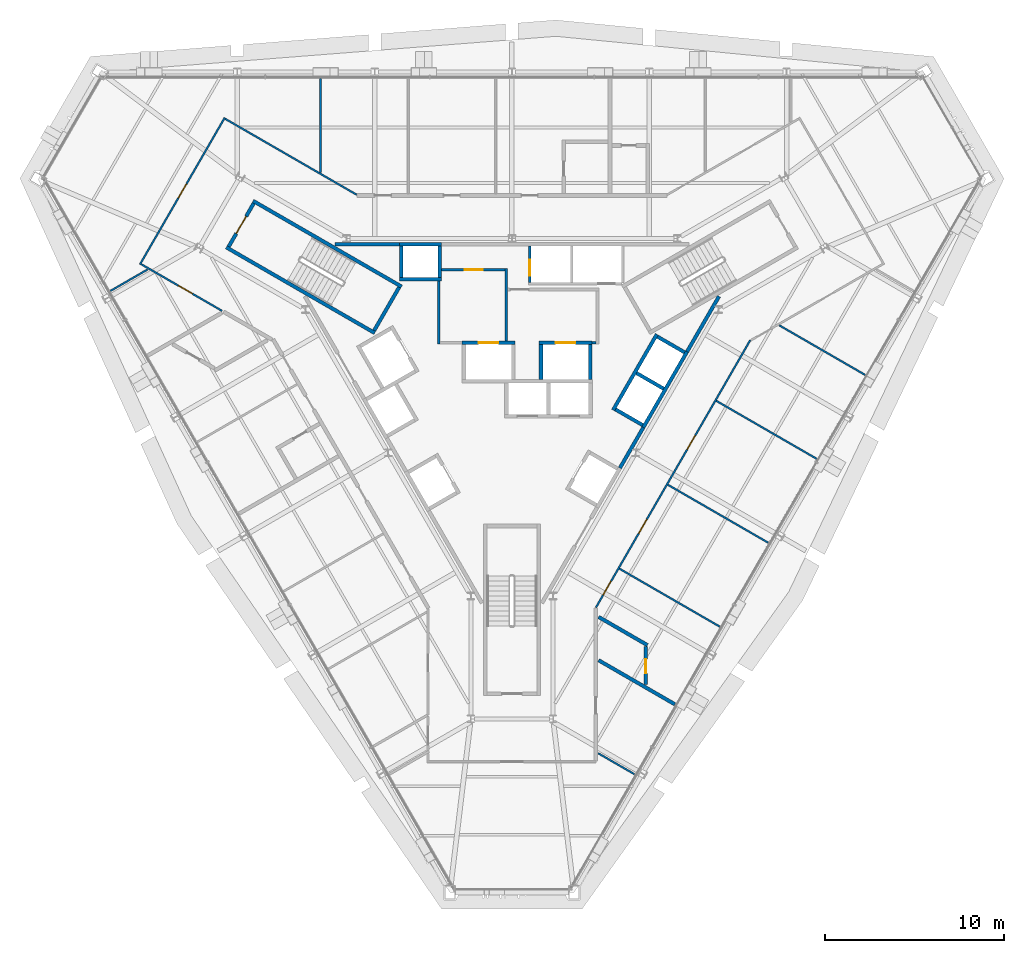
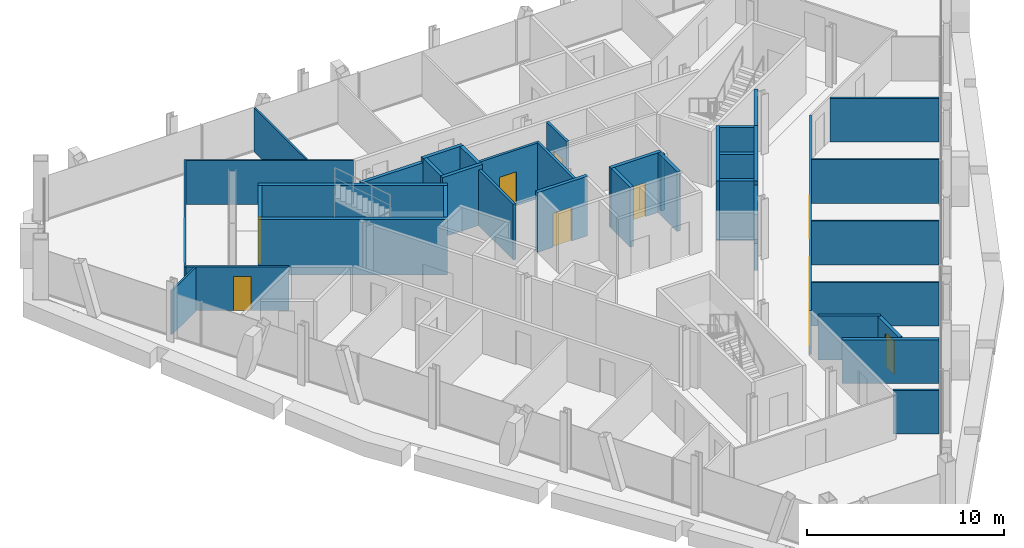
# One storey, part 9 of 13: 39 walls, 11 doors, 11 openings.
"""IFC4 building model written with IfcOpenShell, lengths in metres."""

from ifc_helpers import new_model, si_unit, direction, frame, frame_2d, origin, place, context, subcontext, project, spatial, rectangle, extrude, material, layer, layer_set, type_object, element, fill, save


model = new_model("IFC4")

# Units and contexts
model_context = context("Model", 3, precision=1e-05, world=origin(), true_north=direction((0.0, 1.0)))
body_context = subcontext(model_context, "Body", "Model", "MODEL_VIEW")
ifc_project = project(units=[si_unit("LENGTHUNIT", "METRE"), si_unit("AREAUNIT", "SQUARE_METRE"), si_unit("VOLUMEUNIT", "CUBIC_METRE"), si_unit("PLANEANGLEUNIT", "RADIAN"), si_unit("MASSUNIT", "GRAM", prefix="KILO")], contexts=[model_context])

# Site, building, storey
site_placement = place(None, origin())
site = spatial("IfcSite", under=ifc_project, at=site_placement, CompositionType="ELEMENT")
building_placement = place(site_placement, origin())
building = spatial("IfcBuilding", under=site, at=building_placement, Name="Verrane Prism Tower", CompositionType="ELEMENT")
storey_placement = place(building_placement, frame((0.0, 0.0, 163.60009765625)))
storey = spatial("IfcBuildingStorey", under=building, at=storey_placement, Name="L40", CompositionType="ELEMENT", Elevation=163.60009765625)

# Walls
ifc_material_1 = material(Name="Gypsum board partition", Category="other")
ifc_layer_1 = layer(ifc_material_1, 0.199951171875)
ifc_layer_set_1 = layer_set([ifc_layer_1], Name="CW-200 core boundary wall 2 h")
wall_type_1 = type_object("IfcWallType", Name="CW-200 core boundary wall 2 h", PredefinedType="PARTITIONING", material=ifc_layer_set_1)
wall_1_placement = place(storey_placement, frame((-9.907958984375, 7.659912109375, 0.0), z_axis=(0.0, 0.0, 1.0), x_axis=(1.0, 0.0, 0.0)))
element("IfcWall", 1, at=wall_1_placement, inside=storey, type_object=wall_type_1, Name="Core boundary wall CW3-002", PredefinedType="PARTITIONING", context=body_context, shape_type="SweptSolid", body=[
    extrude(rectangle(XDim=3.620849609375, YDim=0.199951171875, at=frame_2d((1.810546875, 0.0))), origin(), (0.0, 0.0, 1.0), 3.449951171875),
])
wall_2_placement = place(storey_placement, frame((6.0419921875, -4.85498046875, 0.0), z_axis=(0.0, 0.0, 1.0), x_axis=(0.500252727967, 0.865879442048, 0.0)))
element("IfcWall", 2, at=wall_2_placement, inside=storey, type_object=wall_type_1, Name="Core boundary wall CW3-007", PredefinedType="PARTITIONING", context=body_context, shape_type="SweptSolid", body=[
    extrude(rectangle(XDim=2.616943359375, YDim=0.199951171875, at=frame_2d((1.30859375, 0.0))), origin(), (0.0, 0.0, 1.0), 3.449951171875),
])
wall_3_placement = place(storey_placement, frame((9.802978515625, 1.657958984375, 0.0), z_axis=(0.0, 0.0, 1.0), x_axis=(0.499943114462, 0.866058244174, 0.0)))
element("IfcWall", 3, at=wall_3_placement, inside=storey, type_object=wall_type_1, Name="Core boundary wall CW3-008", PredefinedType="PARTITIONING", context=body_context, shape_type="SweptSolid", body=[
    extrude(rectangle(XDim=3.57568359375, YDim=0.199951171875, at=frame_2d((1.787841796875, 0.0))), origin(), (0.0, 0.0, 1.0), 3.449951171875),
])

# Wall, opening, door
ifc_material_2 = material(Name="Concrete C40/50", Category="concrete")
ifc_layer_2 = layer(ifc_material_2, 0.199951171875)
ifc_layer_set_2 = layer_set([ifc_layer_2], Name="CW-200 stair core wall concrete C40/50 3 h")
wall_type_2 = type_object("IfcWallType", Name="CW-200 stair core wall concrete C40/50 3 h", PredefinedType="PARTITIONING", material=ifc_layer_set_2)
wall_4_placement = place(storey_placement, frame((-14.455322265625, 9.96240234375, 0.0), z_axis=(0.0, 0.0, 1.0), x_axis=(-0.500049511043, -0.865996816683, 0.0)))
wall_4 = element("IfcWall", 4, at=wall_4_placement, inside=storey, type_object=wall_type_2, Name="Stair 2 enclosure wall", PredefinedType="PARTITIONING", context=body_context, shape_type="SweptSolid", body=[
    extrude(rectangle(XDim=2.800048828125, YDim=0.199951171875, at=frame_2d((1.39990234375, 0.0))), origin(), (0.0, 0.0, 1.0), 3.449951171875),
])
opening_1_placement = place(wall_4_placement, frame((0.849853515625, 0.0, 0.0)))
opening_1 = element("IfcOpeningElement", 5, at=opening_1_placement, cuts=wall_4, Name="Opening D39501", PredefinedType="OPENING", context=body_context, shape_type="SweptSolid", body=[
    extrude(rectangle(XDim=1.10009765625, YDim=2.10009765625, at=frame_2d((0.550048828125, 1.050048828125))), frame((0.0, 0.10986328125, 0.0), z_axis=(0.0, -1.0, 0.0), x_axis=(1.0, 0.0, 0.0)), (0.0, 0.0, 1.0), 0.219970703125),
])
ifc_material_3 = material(Name="Timber veneered door leaf", Category="wood")
door_type_1 = type_object("IfcDoorType", Name="DR-1100x2100 FD90 single leaf stair", OperationType="NOTDEFINED", PredefinedType="DOOR", material=ifc_material_3)
door_1_placement = place(opening_1_placement, origin())
door_1 = element("IfcDoor", 6, at=door_1_placement, inside=storey, type_object=door_type_1, Name="Stair 2 door", OperationType="SINGLE_SWING_RIGHT", OverallHeight=2.10009765625, OverallWidth=1.10009765625, PredefinedType="DOOR", context=body_context, shape_type="SweptSolid", body=[
    extrude(rectangle(XDim=1.10009765625, YDim=2.10009765625, at=frame_2d((0.550048828125, 1.050048828125))), frame((0.0, 0.02490234375, 0.0), z_axis=(0.0, -1.0, 0.0), x_axis=(1.0, 0.0, 0.0)), (0.0, 0.0, 1.0), 0.050048828125),
])
fill(opening_1, door_1)

# Walls
for number, where, z_axis, x_axis, name in (
    (7, (-7.67822265625, 2.700927734375, 0.0), (0.0, 0.0, 1.0), (-0.866019993635, 0.500009370536, 0.0), "Stair 2 enclosure wall"),
    (8, (-6.17822265625, 5.299072265625, 0.0), (0.0, 0.0, 1.0), (-0.866019993635, 0.500009370536, 0.0), "Stair 2 enclosure wall"),
):
    element("IfcWall", number, at=place(storey_placement, frame(where, z_axis=z_axis, x_axis=x_axis)), inside=storey, type_object=wall_type_2, Name=name, PredefinedType="PARTITIONING", context=body_context, shape_type="SweptSolid", body=[
        extrude(rectangle(XDim=9.599853515625, YDim=0.199951171875, at=frame_2d((4.7998046875, 0.0))), origin(), (0.0, 0.0, 1.0), 3.449951171875),
    ])
wall_5_placement = place(storey_placement, frame((-6.314697265625, 5.262451171875, 0.0), z_axis=(0.0, 0.0, 1.0), x_axis=(-0.500049511043, -0.865996816683, 0.0)))
element("IfcWall", 9, at=wall_5_placement, inside=storey, type_object=wall_type_2, Name="Stair 2 enclosure wall", PredefinedType="PARTITIONING", context=body_context, shape_type="SweptSolid", body=[
    extrude(rectangle(XDim=2.800048828125, YDim=0.199951171875, at=frame_2d((1.39990234375, 0.0))), origin(), (0.0, 0.0, 1.0), 3.449951171875),
])

# Wall, opening, door
ifc_material_4 = material(Name="Gypsum board shaft wall assembly", Category="other")
ifc_layer_3 = layer(ifc_material_4, 0.199951171875)
ifc_layer_set_3 = layer_set([ifc_layer_3], Name="HW-200 lift shaft wall 2 h")
wall_type_3 = type_object("IfcWallType", Name="HW-200 lift shaft wall 2 h", PredefinedType="PARTITIONING", material=ifc_layer_set_3)
wall_6_placement = place(storey_placement, frame((-2.784912109375, 2.14990234375, 0.0), z_axis=(0.0, 0.0, 1.0), x_axis=(1.0, 0.0, 0.0)))
wall_6 = element("IfcWall", 10, at=wall_6_placement, inside=storey, type_object=wall_type_3, Name="Lift shaft wall", PredefinedType="PARTITIONING", context=body_context, shape_type="SweptSolid", body=[
    extrude(rectangle(XDim=2.949951171875, YDim=0.199951171875, at=frame_2d((1.47509765625, 0.0))), origin(), (0.0, 0.0, 1.0), 3.699951171875),
])
opening_2_placement = place(wall_6_placement, frame((0.925048828125, 0.0, 0.0)))
opening_2 = element("IfcOpeningElement", 11, at=opening_2_placement, cuts=wall_6, Name="Opening D39507", PredefinedType="OPENING", context=body_context, shape_type="SweptSolid", body=[
    extrude(rectangle(XDim=1.10009765625, YDim=2.10009765625, at=frame_2d((0.550048828125, 1.050048828125))), frame((0.0, 0.10986328125, 0.0), z_axis=(0.0, -1.0, 0.0), x_axis=(1.0, 0.0, 0.0)), (0.0, 0.0, 1.0), 0.219970703125),
])
ifc_material_5 = material(Name="Stainless steel sliding landing door", Category="steel")
door_type_2 = type_object("IfcDoorType", Name="LD-1100x2100 lift landing door FD90 sliding", OperationType="NOTDEFINED", PredefinedType="DOOR", material=ifc_material_5)
door_2_placement = place(opening_2_placement, origin())
door_2 = element("IfcDoor", 12, at=door_2_placement, inside=storey, type_object=door_type_2, Name="Fire service lift 1 landing door", OperationType="SLIDING_TO_LEFT", OverallHeight=2.10009765625, OverallWidth=1.10009765625, PredefinedType="DOOR", context=body_context, shape_type="SweptSolid", body=[
    extrude(rectangle(XDim=1.10009765625, YDim=2.10009765625, at=frame_2d((0.550048828125, 1.050048828125))), frame((0.0, 0.02490234375, 0.0), z_axis=(0.0, -1.0, 0.0), x_axis=(1.0, 0.0, 0.0)), (0.0, 0.0, 1.0), 0.050048828125),
])
fill(opening_2, door_2)

wall_7_placement = place(storey_placement, frame((1.52490234375, 2.14990234375, 0.0), z_axis=(0.0, 0.0, 1.0), x_axis=(1.0, 0.0, 0.0)))
wall_7 = element("IfcWall", 13, at=wall_7_placement, inside=storey, type_object=wall_type_3, Name="Lift shaft wall", PredefinedType="PARTITIONING", context=body_context, shape_type="SweptSolid", body=[
    extrude(rectangle(XDim=2.9501953125, YDim=0.199951171875, at=frame_2d((1.47509765625, 0.0))), origin(), (0.0, 0.0, 1.0), 3.699951171875),
])
opening_3_placement = place(wall_7_placement, frame((0.925048828125, 0.0, 0.0)))
opening_3 = element("IfcOpeningElement", 14, at=opening_3_placement, cuts=wall_7, Name="Opening D39508", PredefinedType="OPENING", context=body_context, shape_type="SweptSolid", body=[
    extrude(rectangle(XDim=1.10009765625, YDim=2.10009765625, at=frame_2d((0.550048828125, 1.050048828125))), frame((0.0, 0.10986328125, 0.0), z_axis=(0.0, -1.0, 0.0), x_axis=(1.0, 0.0, 0.0)), (0.0, 0.0, 1.0), 0.219970703125),
])
door_3_placement = place(opening_3_placement, origin())
door_3 = element("IfcDoor", 15, at=door_3_placement, inside=storey, type_object=door_type_2, Name="Fire service lift 2 landing door", OperationType="SLIDING_TO_RIGHT", OverallHeight=2.10009765625, OverallWidth=1.10009765625, PredefinedType="DOOR", context=body_context, shape_type="SweptSolid", body=[
    extrude(rectangle(XDim=1.10009765625, YDim=2.10009765625, at=frame_2d((0.550048828125, 1.050048828125))), frame((0.0, 0.02490234375, 0.0), z_axis=(0.0, -1.0, 0.0), x_axis=(1.0, 0.0, 0.0)), (0.0, 0.0, 1.0), 0.050048828125),
])
fill(opening_3, door_3)

# Walls
for number, where, z_axis, x_axis, name in (
    (16, (-6.284912109375, 5.7099609375, 0.0), (0.0, 0.0, 1.0), (1.0, 0.0, 0.0), "Lift shaft wall"),
    (17, (-6.284912109375, 7.659912109375, 0.0), (0.0, 0.0, 1.0), (1.0, 0.0, 0.0), "Lift shaft wall"),
):
    element("IfcWall", number, at=place(storey_placement, frame(where, z_axis=z_axis, x_axis=x_axis)), inside=storey, type_object=wall_type_3, Name=name, PredefinedType="PARTITIONING", context=body_context, shape_type="SweptSolid", body=[
        extrude(rectangle(XDim=2.349853515625, YDim=0.199951171875, at=frame_2d((1.1748046875, 0.0))), origin(), (0.0, 0.0, 1.0), 3.699951171875),
    ])
wall_8_placement = place(storey_placement, frame((7.351318359375, -2.587158203125, 0.0), z_axis=(0.0, 0.0, 1.0), x_axis=(0.500002801628, 0.866023786258, 0.0)))
element("IfcWall", 18, at=wall_8_placement, inside=storey, type_object=wall_type_3, Name="Lift shaft wall", PredefinedType="PARTITIONING", context=body_context, shape_type="SweptSolid", body=[
    extrude(rectangle(XDim=4.89990234375, YDim=0.199951171875, at=frame_2d((2.449951171875, 0.0))), origin(), (0.0, 0.0, 1.0), 3.699951171875),
])
wall_9_placement = place(storey_placement, frame((5.66259765625, -1.6123046875, 0.0), z_axis=(0.0, 0.0, 1.0), x_axis=(0.49998122708, 0.866036242063, 0.0)))
element("IfcWall", 19, at=wall_9_placement, inside=storey, type_object=wall_type_3, Name="Lift shaft wall", PredefinedType="PARTITIONING", context=body_context, shape_type="SweptSolid", body=[
    extrude(rectangle(XDim=4.900146484375, YDim=0.199951171875, at=frame_2d((2.4501953125, 0.0))), origin(), (0.0, 0.0, 1.0), 3.699951171875),
])
for number, where, z_axis, x_axis, name in (
    (20, (4.375, 0.10009765625, 0.0), (0.0, 0.0, 1.0), (0.0, 1.0, 0.0), "Lift shaft wall"),
    (21, (1.625, 0.10009765625, 0.0), (0.0, 0.0, 1.0), (0.0, 1.0, 0.0), "Lift shaft wall"),
):
    element("IfcWall", number, at=place(storey_placement, frame(where, z_axis=z_axis, x_axis=x_axis)), inside=storey, type_object=wall_type_3, Name=name, PredefinedType="PARTITIONING", context=body_context, shape_type="SweptSolid", body=[
        extrude(rectangle(XDim=1.949951171875, YDim=0.199951171875, at=frame_2d((0.97509765625, 0.0))), origin(), (0.0, 0.0, 1.0), 3.699951171875),
    ])
for number, where, z_axis, x_axis, name in (
    (22, (-4.034912109375, 5.81005859375, 0.0), (0.0, 0.0, 1.0), (0.0, 1.0, 0.0), "Lift shaft wall"),
    (23, (-6.18505859375, 5.81005859375, 0.0), (0.0, 0.0, 1.0), (0.0, 1.0, 0.0), "Lift shaft wall"),
):
    element("IfcWall", number, at=place(storey_placement, frame(where, z_axis=z_axis, x_axis=x_axis)), inside=storey, type_object=wall_type_3, Name=name, PredefinedType="PARTITIONING", context=body_context, shape_type="SweptSolid", body=[
        extrude(rectangle(XDim=1.75, YDim=0.199951171875, at=frame_2d((0.875, 0.0))), origin(), (0.0, 0.0, 1.0), 3.699951171875),
    ])
wall_10_placement = place(storey_placement, frame((9.66455078125, 1.61962890625, 0.0), z_axis=(0.0, 0.0, 1.0), x_axis=(-0.866002029911, 0.500040482552, 0.0)))
element("IfcWall", 24, at=wall_10_placement, inside=storey, type_object=wall_type_3, Name="Lift shaft wall", PredefinedType="PARTITIONING", context=body_context, shape_type="SweptSolid", body=[
    extrude(rectangle(XDim=1.749755859375, YDim=0.199951171875, at=frame_2d((0.875, 0.0))), origin(), (0.0, 0.0, 1.0), 3.699951171875),
])
for number, where, z_axis, x_axis, name in (
    (25, (8.48974609375, -0.41552734375, 0.0), (0.0, 0.0, 1.0), (-0.866036909293, 0.499980071345, 0.0), "Lift shaft wall"),
    (26, (7.314697265625, -2.45068359375, 0.0), (0.0, 0.0, 1.0), (-0.866036909293, 0.499980071345, 0.0), "Lift shaft wall"),
):
    element("IfcWall", number, at=place(storey_placement, frame(where, z_axis=z_axis, x_axis=x_axis)), inside=storey, type_object=wall_type_3, Name=name, PredefinedType="PARTITIONING", context=body_context, shape_type="SweptSolid", body=[
        extrude(rectangle(XDim=1.75, YDim=0.199951171875, at=frame_2d((0.875, 0.0))), origin(), (0.0, 0.0, 1.0), 3.699951171875),
    ])
ifc_material_6 = material(Name="Gypsum board partition", Category="other")
ifc_layer_4 = layer(ifc_material_6, 0.14990234375)
ifc_layer_set_4 = layer_set([ifc_layer_4], Name="LF-150 firefighting lobby wall 1 h")
wall_type_4 = type_object("IfcWallType", Name="LF-150 firefighting lobby wall 1 h", PredefinedType="PARTITIONING", material=ifc_layer_set_4)
wall_11_placement = place(storey_placement, frame((-4.10009765625, 2.0849609375, 0.0), z_axis=(0.0, 0.0, 1.0), x_axis=(0.0, 1.0, 0.0)))
element("IfcWall", 27, at=wall_11_placement, inside=storey, type_object=wall_type_4, Name="Firefighting lobby wall LF1-001", PredefinedType="PARTITIONING", context=body_context, shape_type="SweptSolid", body=[
    extrude(rectangle(XDim=3.52294921875, YDim=0.14990234375, at=frame_2d((1.761474609375, 0.0))), origin(), (0.0, 0.0, 1.0), 3.449951171875),
])

# Wall, opening, door
wall_12_placement = place(storey_placement, frame((-3.93310546875, 6.239990234375, 0.0), z_axis=(0.0, 0.0, 1.0), x_axis=(1.0, 0.0, 0.0)))
wall_12 = element("IfcWall", 28, at=wall_12_placement, inside=storey, type_object=wall_type_4, Name="Firefighting lobby wall LF1-003", PredefinedType="PARTITIONING", context=body_context, shape_type="SweptSolid", body=[
    extrude(rectangle(XDim=3.5380859375, YDim=0.14990234375, at=frame_2d((1.76904296875, 0.0))), origin(), (0.0, 0.0, 1.0), 3.449951171875),
])
opening_4_placement = place(wall_12_placement, frame((1.300048828125, 0.0, 0.0)))
opening_4 = element("IfcOpeningElement", 29, at=opening_4_placement, cuts=wall_12, Name="Opening D39511", PredefinedType="OPENING", context=body_context, shape_type="SweptSolid", body=[
    extrude(rectangle(XDim=1.0, YDim=2.10009765625, at=frame_2d((0.5, 1.050048828125))), frame((0.0, 0.0849609375, 0.0), z_axis=(0.0, -1.0, 0.0), x_axis=(1.0, 0.0, 0.0)), (0.0, 0.0, 1.0), 0.169921875),
])
ifc_material_7 = material(Name="Timber veneered door leaf", Category="wood")
door_type_3 = type_object("IfcDoorType", Name="DR-1000x2100 FD60 single leaf firefighting lobby", OperationType="NOTDEFINED", PredefinedType="DOOR", material=ifc_material_7)
door_4_placement = place(opening_4_placement, origin())
door_4 = element("IfcDoor", 30, at=door_4_placement, inside=storey, type_object=door_type_3, Name="Firefighting lobby door D39511", OperationType="SINGLE_SWING_LEFT", OverallHeight=2.10009765625, OverallWidth=1.0, PredefinedType="DOOR", context=body_context, shape_type="SweptSolid", body=[
    extrude(rectangle(XDim=1.0, YDim=2.10009765625, at=frame_2d((0.5, 1.050048828125))), frame((0.0, 0.02490234375, 0.0), z_axis=(0.0, -1.0, 0.0), x_axis=(1.0, 0.0, 0.0)), (0.0, 0.0, 1.0), 0.050048828125),
])
fill(opening_4, door_4)

# Walls
wall_13_placement = place(storey_placement, frame((-0.320068359375, 2.251953125, 0.0), z_axis=(0.0, 0.0, 1.0), x_axis=(0.0, 1.0, 0.0)))
element("IfcWall", 31, at=wall_13_placement, inside=storey, type_object=wall_type_4, Name="Firefighting lobby wall LF1-004", PredefinedType="PARTITIONING", context=body_context, shape_type="SweptSolid", body=[
    extrude(rectangle(XDim=4.06298828125, YDim=0.14990234375, at=frame_2d((2.031494140625, 0.0))), origin(), (0.0, 0.0, 1.0), 3.449951171875),
])
wall_14_placement = place(storey_placement, frame((4.47705078125, 2.159912109375, 0.0), z_axis=(0.0, 0.0, 1.0), x_axis=(1.0, 0.0, 0.0)))
element("IfcWall", 32, at=wall_14_placement, inside=storey, type_object=wall_type_4, Name="Firefighting lobby wall LF1-006", PredefinedType="PARTITIONING", context=body_context, shape_type="SweptSolid", body=[
    extrude(rectangle(XDim=0.238037109375, YDim=0.14990234375, at=frame_2d((0.119140625, 0.0))), origin(), (0.0, 0.0, 1.0), 3.449951171875),
])
ifc_material_8 = material(Name="Gypsum board partition", Category="other")
ifc_layer_5 = layer(ifc_material_8, 0.10009765625)
ifc_layer_set_5 = layer_set([ifc_layer_5], Name="PW-100 room partition")
wall_type_5 = type_object("IfcWallType", Name="PW-100 room partition", PredefinedType="PARTITIONING", material=ifc_layer_set_5)
wall_15_placement = place(storey_placement, frame((-22.474853515625, 5.057861328125, 0.0), z_axis=(0.0, 0.0, 1.0), x_axis=(0.865953976614, 0.500123695086, 0.0)))
element("IfcWall", 33, at=wall_15_placement, inside=storey, type_object=wall_type_5, Name="Room partition 001", PredefinedType="PARTITIONING", context=body_context, shape_type="SweptSolid", body=[
    extrude(rectangle(XDim=2.4052734375, YDim=0.10009765625, at=frame_2d((1.20263671875, 0.0))), origin(), (0.0, 0.0, 1.0), 2.712890625),
])

# Wall, opening, door
wall_16_placement = place(storey_placement, frame((-16.22900390625, 3.944091796875, 0.0), z_axis=(0.0, 0.0, 1.0), x_axis=(-0.866079026679, 0.499907110918, 0.0)))
wall_16 = element("IfcWall", 34, at=wall_16_placement, inside=storey, type_object=wall_type_5, Name="Room partition 002", PredefinedType="PARTITIONING", context=body_context, shape_type="SweptSolid", body=[
    extrude(rectangle(XDim=5.2265625, YDim=0.10009765625, at=frame_2d((2.61328125, 0.0))), origin(), (0.0, 0.0, 1.0), 2.712890625),
])
opening_5_placement = place(wall_16_placement, frame((1.920654296875, 0.0, 0.0)))
opening_5 = element("IfcOpeningElement", 35, at=opening_5_placement, cuts=wall_16, Name="Opening D39017", PredefinedType="OPENING", context=body_context, shape_type="SweptSolid", body=[
    extrude(rectangle(XDim=0.89990234375, YDim=2.10009765625, at=frame_2d((0.449951171875, 1.050048828125))), frame((0.0, 0.06005859375, 0.0), z_axis=(0.0, -1.0, 0.0), x_axis=(1.0, 0.0, 0.0)), (0.0, 0.0, 1.0), 0.1201171875),
])
ifc_material_9 = material(Name="Timber veneered door leaf", Category="wood")
door_type_4 = type_object("IfcDoorType", Name="DR-900x2100 single leaf unit", OperationType="NOTDEFINED", PredefinedType="DOOR", material=ifc_material_9)
door_5_placement = place(opening_5_placement, origin())
door_5 = element("IfcDoor", 36, at=door_5_placement, inside=storey, type_object=door_type_4, Name="Kitchen door", OperationType="SINGLE_SWING_RIGHT", OverallHeight=2.10009765625, OverallWidth=0.89990234375, PredefinedType="DOOR", context=body_context, shape_type="SweptSolid", body=[
    extrude(rectangle(XDim=0.89990234375, YDim=2.10009765625, at=frame_2d((0.449951171875, 1.050048828125))), frame((0.0, 0.02490234375, 0.0), z_axis=(0.0, -1.0, 0.0), x_axis=(1.0, 0.0, 0.0)), (0.0, 0.0, 1.0), 0.050048828125),
])
fill(opening_5, door_5)

wall_17_placement = place(storey_placement, frame((-20.823974609375, 6.538818359375, 0.0), z_axis=(0.0, 0.0, 1.0), x_axis=(0.500297300687, 0.865853689098, 0.0)))
wall_17 = element("IfcWall", 37, at=wall_17_placement, inside=storey, type_object=wall_type_5, Name="Room partition 003", PredefinedType="PARTITIONING", context=body_context, shape_type="SweptSolid", body=[
    extrude(rectangle(XDim=9.496337890625, YDim=0.10009765625, at=frame_2d((4.748046875, 0.0))), origin(), (0.0, 0.0, 1.0), 2.712890625),
])
opening_6_placement = place(wall_17_placement, frame((4.300048828125, 0.0, 0.0)))
opening_6 = element("IfcOpeningElement", 38, at=opening_6_placement, cuts=wall_17, Name="Opening D39016", PredefinedType="OPENING", context=body_context, shape_type="SweptSolid", body=[
    extrude(rectangle(XDim=0.89990234375, YDim=2.10009765625, at=frame_2d((0.449951171875, 1.050048828125))), frame((0.0, 0.06005859375, 0.0), z_axis=(0.0, -1.0, 0.0), x_axis=(1.0, 0.0, 0.0)), (0.0, 0.0, 1.0), 0.1201171875),
])
door_6_placement = place(opening_6_placement, origin())
door_6 = element("IfcDoor", 39, at=door_6_placement, inside=storey, type_object=door_type_4, Name="Utility Room door", OperationType="SINGLE_SWING_RIGHT", OverallHeight=2.10009765625, OverallWidth=0.89990234375, PredefinedType="DOOR", context=body_context, shape_type="SweptSolid", body=[
    extrude(rectangle(XDim=0.89990234375, YDim=2.10009765625, at=frame_2d((0.449951171875, 1.050048828125))), frame((0.0, 0.02490234375, 0.0), z_axis=(0.0, -1.0, 0.0), x_axis=(1.0, 0.0, 0.0)), (0.0, 0.0, 1.0), 0.050048828125),
])
fill(opening_6, door_6)

# Walls
wall_18_placement = place(storey_placement, frame((-16.0546875, 14.693115234375, 0.0), z_axis=(0.0, 0.0, 1.0), x_axis=(0.866070360466, -0.499922124658, 0.0)))
element("IfcWall", 40, at=wall_18_placement, inside=storey, type_object=wall_type_5, Name="Room partition 009", PredefinedType="PARTITIONING", context=body_context, shape_type="SweptSolid", body=[
    extrude(rectangle(XDim=8.502685546875, YDim=0.10009765625, at=frame_2d((4.25146484375, 0.0))), origin(), (0.0, 0.0, 1.0), 2.712890625),
])
wall_19_placement = place(storey_placement, frame((-10.712890625, 11.696533203125, 0.0), z_axis=(0.0, 0.0, 1.0), x_axis=(0.0, 1.0, 0.0)))
element("IfcWall", 41, at=wall_19_placement, inside=storey, type_object=wall_type_5, Name="Room partition 015", PredefinedType="PARTITIONING", context=body_context, shape_type="SweptSolid", body=[
    extrude(rectangle(XDim=5.238525390625, YDim=0.10009765625, at=frame_2d((2.619140625, 0.0))), origin(), (0.0, 0.0, 1.0), 2.712890625),
])
wall_20_placement = place(storey_placement, frame((4.824951171875, -20.819091796875, 0.0), z_axis=(0.0, 0.0, 1.0), x_axis=(0.865981189106, -0.500076574252, 0.0)))
element("IfcWall", 42, at=wall_20_placement, inside=storey, type_object=wall_type_5, Name="Room partition 029", PredefinedType="PARTITIONING", context=body_context, shape_type="SweptSolid", body=[
    extrude(rectangle(XDim=2.347412109375, YDim=0.10009765625, at=frame_2d((1.173828125, 0.0))), origin(), (0.0, 0.0, 1.0), 2.712890625),
])

# Wall, openings, doors
wall_21_placement = place(storey_placement, frame((13.342041015625, 2.306396484375, 0.0), z_axis=(0.0, 0.0, 1.0), x_axis=(-0.49997635812, -0.866039053, 0.0)))
wall_21 = element("IfcWall", 43, at=wall_21_placement, inside=storey, type_object=wall_type_5, Name="Room partition 032", PredefinedType="PARTITIONING", context=body_context, shape_type="SweptSolid", body=[
    extrude(rectangle(XDim=17.284912109375, YDim=0.10009765625, at=frame_2d((8.642578125, 0.0))), origin(), (0.0, 0.0, 1.0), 2.712890625),
])
opening_7_placement = place(wall_21_placement, frame((15.584716796875, 0.0, 0.0)))
opening_7 = element("IfcOpeningElement", 44, at=opening_7_placement, cuts=wall_21, Name="Opening D39002", PredefinedType="OPENING", context=body_context, shape_type="SweptSolid", body=[
    extrude(rectangle(XDim=0.89990234375, YDim=2.10009765625, at=frame_2d((0.449951171875, 1.050048828125))), frame((0.0, 0.06005859375, 0.0), z_axis=(0.0, -1.0, 0.0), x_axis=(1.0, 0.0, 0.0)), (0.0, 0.0, 1.0), 0.1201171875),
])
opening_8_placement = place(wall_21_placement, frame((11.5947265625, 0.0, 0.0)))
opening_8 = element("IfcOpeningElement", 45, at=opening_8_placement, cuts=wall_21, Name="Opening D39004", PredefinedType="OPENING", context=body_context, shape_type="SweptSolid", body=[
    extrude(rectangle(XDim=0.89990234375, YDim=2.10009765625, at=frame_2d((0.449951171875, 1.050048828125))), frame((0.0, 0.06005859375, 0.0), z_axis=(0.0, -1.0, 0.0), x_axis=(1.0, 0.0, 0.0)), (0.0, 0.0, 1.0), 0.1201171875),
])
opening_9_placement = place(wall_21_placement, frame((6.1708984375, 0.0, 0.0)))
opening_9 = element("IfcOpeningElement", 46, at=opening_9_placement, cuts=wall_21, Name="Opening D39005", PredefinedType="OPENING", context=body_context, shape_type="SweptSolid", body=[
    extrude(rectangle(XDim=0.89990234375, YDim=2.10009765625, at=frame_2d((0.449951171875, 1.050048828125))), frame((0.0, 0.06005859375, 0.0), z_axis=(0.0, -1.0, 0.0), x_axis=(1.0, 0.0, 0.0)), (0.0, 0.0, 1.0), 0.1201171875),
])
ifc_material_10 = material(Name="Timber veneered door leaf", Category="wood")
door_type_5 = type_object("IfcDoorType", Name="DR-900x2100 single leaf inner", OperationType="NOTDEFINED", PredefinedType="DOOR", material=ifc_material_10)
door_7_placement = place(opening_7_placement, origin())
door_7 = element("IfcDoor", 47, at=door_7_placement, inside=storey, type_object=door_type_5, Name="Bedroom door", OperationType="SINGLE_SWING_LEFT", OverallHeight=2.10009765625, OverallWidth=0.89990234375, PredefinedType="DOOR", context=body_context, shape_type="SweptSolid", body=[
    extrude(rectangle(XDim=0.89990234375, YDim=2.10009765625, at=frame_2d((0.449951171875, 1.050048828125))), frame((0.0, 0.02490234375, 0.0), z_axis=(0.0, -1.0, 0.0), x_axis=(1.0, 0.0, 0.0)), (0.0, 0.0, 1.0), 0.050048828125),
])
fill(opening_7, door_7)
door_8_placement = place(opening_8_placement, origin())
door_8 = element("IfcDoor", 48, at=door_8_placement, inside=storey, type_object=door_type_4, Name="Study door", OperationType="SINGLE_SWING_LEFT", OverallHeight=2.10009765625, OverallWidth=0.89990234375, PredefinedType="DOOR", context=body_context, shape_type="SweptSolid", body=[
    extrude(rectangle(XDim=0.89990234375, YDim=2.10009765625, at=frame_2d((0.449951171875, 1.050048828125))), frame((0.0, 0.02490234375, 0.0), z_axis=(0.0, -1.0, 0.0), x_axis=(1.0, 0.0, 0.0)), (0.0, 0.0, 1.0), 0.050048828125),
])
fill(opening_8, door_8)
door_9_placement = place(opening_9_placement, origin())
door_9 = element("IfcDoor", 49, at=door_9_placement, inside=storey, type_object=door_type_4, Name="Study door", OperationType="SINGLE_SWING_RIGHT", OverallHeight=2.10009765625, OverallWidth=0.89990234375, PredefinedType="DOOR", context=body_context, shape_type="SweptSolid", body=[
    extrude(rectangle(XDim=0.89990234375, YDim=2.10009765625, at=frame_2d((0.449951171875, 1.050048828125))), frame((0.0, 0.02490234375, 0.0), z_axis=(0.0, -1.0, 0.0), x_axis=(1.0, 0.0, 0.0)), (0.0, 0.0, 1.0), 0.050048828125),
])
fill(opening_9, door_9)

# Walls
wall_22_placement = place(storey_placement, frame((6.01318359375, -10.488037109375, 0.0), z_axis=(0.0, 0.0, 1.0), x_axis=(0.86599118531, -0.500059263454, 0.0)))
element("IfcWall", 50, at=wall_22_placement, inside=storey, type_object=wall_type_5, Name="Room partition 035", PredefinedType="PARTITIONING", context=body_context, shape_type="SweptSolid", body=[
    extrude(rectangle(XDim=6.483642578125, YDim=0.10009765625, at=frame_2d((3.24169921875, 0.0))), origin(), (0.0, 0.0, 1.0), 2.712890625),
])
wall_23_placement = place(storey_placement, frame((8.725341796875, -5.791015625, 0.0), z_axis=(0.0, 0.0, 1.0), x_axis=(0.865998075994, -0.500047330135, 0.0)))
element("IfcWall", 51, at=wall_23_placement, inside=storey, type_object=wall_type_5, Name="Room partition 039", PredefinedType="PARTITIONING", context=body_context, shape_type="SweptSolid", body=[
    extrude(rectangle(XDim=6.483154296875, YDim=0.10009765625, at=frame_2d((3.24169921875, 0.0))), origin(), (0.0, 0.0, 1.0), 2.712890625),
])
wall_24_placement = place(storey_placement, frame((11.440673828125, -1.096435546875, 0.0), z_axis=(0.0, 0.0, 1.0), x_axis=(0.866019919364, -0.500009499175, 0.0)))
element("IfcWall", 52, at=wall_24_placement, inside=storey, type_object=wall_type_5, Name="Room partition 041", PredefinedType="PARTITIONING", context=body_context, shape_type="SweptSolid", body=[
    extrude(rectangle(XDim=6.478759765625, YDim=0.10009765625, at=frame_2d((3.2392578125, 0.0))), origin(), (0.0, 0.0, 1.0), 2.712890625),
])
wall_25_placement = place(storey_placement, frame((14.968017578125, 3.129638671875, 0.0), z_axis=(0.0, 0.0, 1.0), x_axis=(0.866001282423, -0.500041777097, 0.0)))
element("IfcWall", 53, at=wall_25_placement, inside=storey, type_object=wall_type_5, Name="Room partition 043", PredefinedType="PARTITIONING", context=body_context, shape_type="SweptSolid", body=[
    extrude(rectangle(XDim=5.537109375, YDim=0.10009765625, at=frame_2d((2.7685546875, 0.0))), origin(), (0.0, 0.0, 1.0), 2.712890625),
])
ifc_material_11 = material(Name="Gypsum board partition", Category="other")
ifc_layer_6 = layer(ifc_material_11, 0.199951171875)
ifc_layer_set_6 = layer_set([ifc_layer_6], Name="PW-200 plumbing wall")
wall_type_6 = type_object("IfcWallType", Name="PW-200 plumbing wall", PredefinedType="PARTITIONING", material=ifc_layer_set_6)
wall_26_placement = place(storey_placement, frame((4.85009765625, -15.615478515625, 0.0), z_axis=(0.0, 0.0, 1.0), x_axis=(0.866057699548, -0.499944057923, 0.0)))
element("IfcWall", 54, at=wall_26_placement, inside=storey, type_object=wall_type_6, Name="Plumbing wall 030", PredefinedType="PARTITIONING", context=body_context, shape_type="SweptSolid", body=[
    extrude(rectangle(XDim=4.92724609375, YDim=0.199951171875, at=frame_2d((2.463623046875, 0.0))), origin(), (0.0, 0.0, 1.0), 2.712890625),
])
wall_27_placement = place(storey_placement, frame((4.85009765625, -13.190673828125, 0.0), z_axis=(0.0, 0.0, 1.0), x_axis=(0.866109679077, -0.499854002494, 0.0)))
element("IfcWall", 55, at=wall_27_placement, inside=storey, type_object=wall_type_6, Name="Plumbing wall 031", PredefinedType="PARTITIONING", context=body_context, shape_type="SweptSolid", body=[
    extrude(rectangle(XDim=3.15966796875, YDim=0.199951171875, at=frame_2d((1.579833984375, 0.0))), origin(), (0.0, 0.0, 1.0), 2.712890625),
])

# Wall, opening, door
wall_28_placement = place(storey_placement, frame((7.5, -16.971923828125, 0.0), z_axis=(0.0, 0.0, 1.0), x_axis=(0.0, 1.0, 0.0)))
wall_28 = element("IfcWall", 56, at=wall_28_placement, inside=storey, type_object=wall_type_6, Name="Plumbing wall 036", PredefinedType="PARTITIONING", context=body_context, shape_type="SweptSolid", body=[
    extrude(rectangle(XDim=2.116943359375, YDim=0.199951171875, at=frame_2d((1.05859375, 0.0))), origin(), (0.0, 0.0, 1.0), 2.712890625),
])
opening_10_placement = place(wall_28_placement, frame((0.626708984375, 0.0, 0.0)))
opening_10 = element("IfcOpeningElement", 57, at=opening_10_placement, cuts=wall_28, Name="Opening D39003", PredefinedType="OPENING", context=body_context, shape_type="SweptSolid", body=[
    extrude(rectangle(XDim=0.800048828125, YDim=2.10009765625, at=frame_2d((0.39990234375, 1.050048828125))), frame((0.0, 0.10986328125, 0.0), z_axis=(0.0, -1.0, 0.0), x_axis=(1.0, 0.0, 0.0)), (0.0, 0.0, 1.0), 0.219970703125),
])
ifc_material_12 = material(Name="Timber veneered door leaf", Category="wood")
door_type_6 = type_object("IfcDoorType", Name="DR-800x2100 single leaf bath", OperationType="NOTDEFINED", PredefinedType="DOOR", material=ifc_material_12)
door_10_placement = place(opening_10_placement, origin())
door_10 = element("IfcDoor", 58, at=door_10_placement, inside=storey, type_object=door_type_6, Name="Bathroom door", OperationType="SINGLE_SWING_LEFT", OverallHeight=2.10009765625, OverallWidth=0.800048828125, PredefinedType="DOOR", context=body_context, shape_type="SweptSolid", body=[
    extrude(rectangle(XDim=0.800048828125, YDim=2.10009765625, at=frame_2d((0.39990234375, 1.050048828125))), frame((0.0, 0.02490234375, 0.0), z_axis=(0.0, -1.0, 0.0), x_axis=(1.0, 0.0, 0.0)), (0.0, 0.0, 1.0), 0.050048828125),
])
fill(opening_10, door_10)

ifc_material_13 = material(Name="Gypsum board partition", Category="other")
ifc_layer_7 = layer(ifc_material_13, 0.14990234375)
ifc_layer_set_7 = layer_set([ifc_layer_7], Name="RS-150 riser enclosure wall 1 h")
wall_type_7 = type_object("IfcWallType", Name="RS-150 riser enclosure wall 1 h", PredefinedType="PARTITIONING", material=ifc_layer_set_7)
wall_29_placement = place(storey_placement, frame((1.0, 7.56005859375, 0.0), z_axis=(0.0, 0.0, 1.0), x_axis=(0.0, -1.0, 0.0)))
wall_29 = element("IfcWall", 59, at=wall_29_placement, inside=storey, type_object=wall_type_7, Name="Riser wall RS3-001", PredefinedType="PARTITIONING", context=body_context, shape_type="SweptSolid", body=[
    extrude(rectangle(XDim=2.025146484375, YDim=0.14990234375, at=frame_2d((1.0126953125, 0.0))), origin(), (0.0, 0.0, 1.0), 3.449951171875),
])
opening_11_placement = place(wall_29_placement, frame((0.75, 0.0, 0.0)))
opening_11 = element("IfcOpeningElement", 60, at=opening_11_placement, cuts=wall_29, Name="Opening D39513", PredefinedType="OPENING", context=body_context, shape_type="SweptSolid", body=[
    extrude(rectangle(XDim=0.89990234375, YDim=2.10009765625, at=frame_2d((0.449951171875, 1.050048828125))), frame((0.0, 0.0849609375, 0.0), z_axis=(0.0, -1.0, 0.0), x_axis=(1.0, 0.0, 0.0)), (0.0, 0.0, 1.0), 0.169921875),
])
ifc_material_14 = material(Name="Timber veneered door leaf", Category="wood")
door_type_7 = type_object("IfcDoorType", Name="DR-900x2100 FD60 single leaf riser", OperationType="NOTDEFINED", PredefinedType="DOOR", material=ifc_material_14)
door_11_placement = place(opening_11_placement, origin())
door_11 = element("IfcDoor", 61, at=door_11_placement, inside=storey, type_object=door_type_7, Name="Riser door D39513", OperationType="SINGLE_SWING_RIGHT", OverallHeight=2.10009765625, OverallWidth=0.89990234375, PredefinedType="DOOR", context=body_context, shape_type="SweptSolid", body=[
    extrude(rectangle(XDim=0.89990234375, YDim=2.10009765625, at=frame_2d((0.449951171875, 1.050048828125))), frame((0.0, 0.02490234375, 0.0), z_axis=(0.0, -1.0, 0.0), x_axis=(1.0, 0.0, 0.0)), (0.0, 0.0, 1.0), 0.050048828125),
])
fill(opening_11, door_11)

save(model, "model.ifc")
